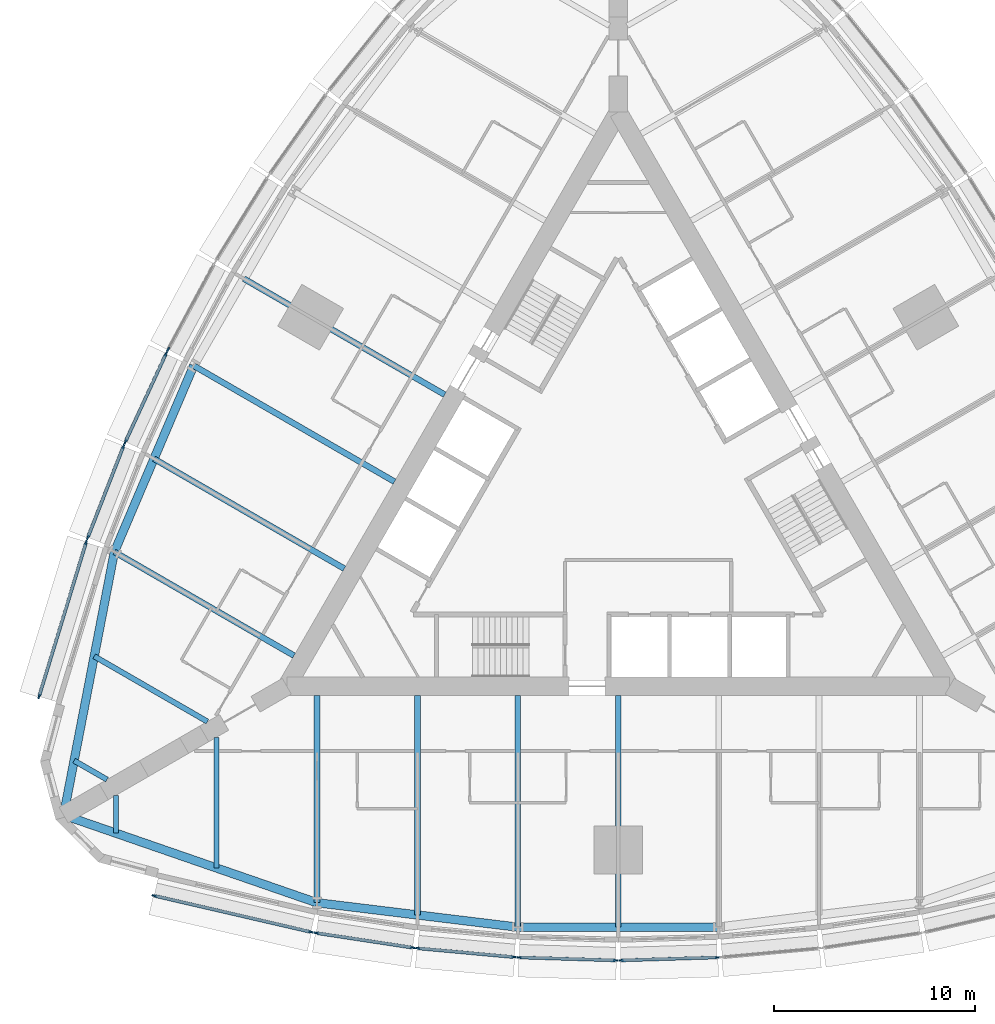
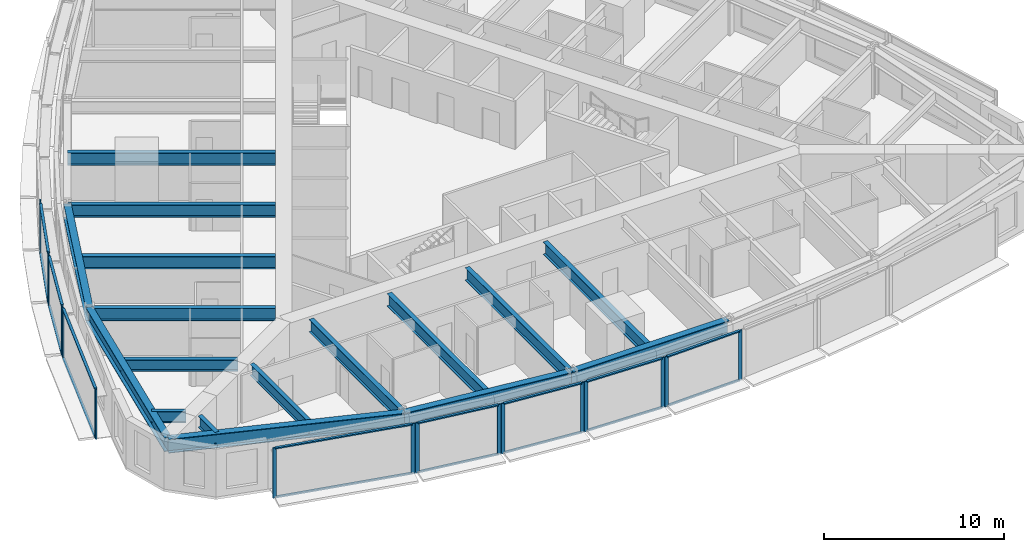
# One storey, part 2 of 14: 33 members, 17 beams, 9 elements without a shape of their own.
"""IFC4 building model written with IfcOpenShell, lengths in metres."""

from ifc_helpers import new_model, si_unit, direction, frame, origin, origin_2d, place, context, subcontext, project, spatial, rectangle, i_section, extrude, material, material_profile, profile_set, type_object, element, aggregate, save


model = new_model("IFC4")

# Units and contexts
model_context = context("Model", 3, precision=1e-05, world=origin(), true_north=direction((0.0, 1.0)))
body_context = subcontext(model_context, "Body", "Model", "MODEL_VIEW")
ifc_project = project(units=[si_unit("LENGTHUNIT", "METRE"), si_unit("AREAUNIT", "SQUARE_METRE"), si_unit("VOLUMEUNIT", "CUBIC_METRE"), si_unit("PLANEANGLEUNIT", "RADIAN"), si_unit("MASSUNIT", "GRAM", prefix="KILO")], contexts=[model_context])

# Site, building, storey
site_placement = place(None, origin())
site = spatial("IfcSite", under=ifc_project, at=site_placement, CompositionType="ELEMENT")
building_placement = place(site_placement, origin())
building = spatial("IfcBuilding", under=site, at=building_placement, Name="Trikona Tower", CompositionType="ELEMENT")
storey_placement = place(building_placement, frame((0.0, 0.0, 28.5)))
storey = spatial("IfcBuildingStorey", under=building, at=storey_placement, Name="L05", CompositionType="ELEMENT", Elevation=28.5)

# Curtain wall, members
ifc_material_1 = material(Name="Aluminium curtain wall system", Category="aluminium")
curtain_wall_type = type_object("IfcCurtainWallType", Name="Curtain wall DS1", PredefinedType="NOTDEFINED", material=ifc_material_1)
curtain_wall_1_placement = place(storey_placement, origin())
curtain_wall_1 = element("IfcCurtainWall", 1, at=curtain_wall_1_placement, inside=storey, type_object=curtain_wall_type, Name="Curtain wall DS1 L05", PredefinedType="NOTDEFINED")
ifc_material_2 = material(Name="Aluminium mullion, pale anodised", Category="aluminium")
ifc_material_profile_1 = material_profile(ifc_material_2, rectangle(XDim=0.080078125, YDim=0.219970703125, at=origin_2d()), Name="MUL-DS1")
ifc_profile_set_1 = profile_set([ifc_material_profile_1], Name="Aluminium mullion, pale anodised")
member_type_1 = type_object("IfcMemberType", Name="Mullion DS1 80x220", PredefinedType="MULLION", material=ifc_profile_set_1)
member_1_placement = place(storey_placement, frame((-23.10546875, -19.951904296875, 0.0), z_axis=(0.0, 0.0, 1.0), x_axis=(0.225343288756, 0.974279427173, 0.0)))
member_1 = element("IfcMember", 2, at=member_1_placement, type_object=member_type_1, Name="CW-DS1 mullion 1", PredefinedType="MULLION", context=body_context, shape_type="SweptSolid", body=[
    extrude(rectangle(XDim=0.080078125, YDim=0.219970703125, at=origin_2d()), origin(), (0.0, 0.0, 1.0), 3.39990234375),
])
member_2_placement = place(storey_placement, frame((-15.30029296875, -21.75732421875, 0.0), z_axis=(0.0, 0.0, 1.0), x_axis=(0.225343288756, 0.974279427173, 0.0)))
member_2 = element("IfcMember", 3, at=member_2_placement, type_object=member_type_1, Name="CW-DS1 mullion 2", PredefinedType="MULLION", context=body_context, shape_type="SweptSolid", body=[
    extrude(rectangle(XDim=0.080078125, YDim=0.219970703125, at=origin_2d()), origin(), (0.0, 0.0, 1.0), 3.39990234375),
])

curtain_wall_2_placement = place(storey_placement, origin())
curtain_wall_2 = element("IfcCurtainWall", 4, at=curtain_wall_2_placement, inside=storey, type_object=curtain_wall_type, Name="Curtain wall DS1 L05", PredefinedType="NOTDEFINED")
member_3_placement = place(storey_placement, frame((-15.03662109375, -21.807861328125, 0.0), z_axis=(0.0, 0.0, 1.0), x_axis=(0.150437693845, 0.988619492156, 0.0)))
member_3 = element("IfcMember", 5, at=member_3_placement, type_object=member_type_1, Name="CW-DS1 mullion 1", PredefinedType="MULLION", context=body_context, shape_type="SweptSolid", body=[
    extrude(rectangle(XDim=0.080078125, YDim=0.219970703125, at=origin_2d()), origin(), (0.0, 0.0, 1.0), 3.39990234375),
])
member_4_placement = place(storey_placement, frame((-10.234130859375, -22.53857421875, 0.0), z_axis=(0.0, 0.0, 1.0), x_axis=(0.150437693845, 0.988619492156, 0.0)))
member_4 = element("IfcMember", 6, at=member_4_placement, type_object=member_type_1, Name="CW-DS1 mullion 2", PredefinedType="MULLION", context=body_context, shape_type="SweptSolid", body=[
    extrude(rectangle(XDim=0.080078125, YDim=0.219970703125, at=origin_2d()), origin(), (0.0, 0.0, 1.0), 3.39990234375),
])

curtain_wall_3_placement = place(storey_placement, origin())
curtain_wall_3 = element("IfcCurtainWall", 7, at=curtain_wall_3_placement, inside=storey, type_object=curtain_wall_type, Name="Curtain wall DS1 L05", PredefinedType="NOTDEFINED")
member_5_placement = place(storey_placement, frame((-9.982177734375, -22.5693359375, 0.0), z_axis=(0.0, 0.0, 1.0), x_axis=(0.090923932737, 0.995857840485, 0.0)))
member_5 = element("IfcMember", 8, at=member_5_placement, type_object=member_type_1, Name="CW-DS1 mullion 1", PredefinedType="MULLION", context=body_context, shape_type="SweptSolid", body=[
    extrude(rectangle(XDim=0.080078125, YDim=0.219970703125, at=origin_2d()), origin(), (0.0, 0.0, 1.0), 3.39990234375),
])
member_6_placement = place(storey_placement, frame((-5.181396484375, -23.007568359375, 0.0), z_axis=(0.0, 0.0, 1.0), x_axis=(0.090923932737, 0.995857840485, 0.0)))
member_6 = element("IfcMember", 9, at=member_6_placement, type_object=member_type_1, Name="CW-DS1 mullion 2", PredefinedType="MULLION", context=body_context, shape_type="SweptSolid", body=[
    extrude(rectangle(XDim=0.080078125, YDim=0.219970703125, at=origin_2d()), origin(), (0.0, 0.0, 1.0), 3.39990234375),
])

curtain_wall_4_placement = place(storey_placement, origin())
curtain_wall_4 = element("IfcCurtainWall", 10, at=curtain_wall_4_placement, inside=storey, type_object=curtain_wall_type, Name="Curtain wall DS1 L05", PredefinedType="NOTDEFINED")
member_7_placement = place(storey_placement, frame((-4.927490234375, -23.02294921875, 0.0), z_axis=(0.0, 0.0, 1.0), x_axis=(0.030436711692, 0.999536695965, 0.0)))
member_7 = element("IfcMember", 11, at=member_7_placement, type_object=member_type_1, Name="CW-DS1 mullion 1", PredefinedType="MULLION", context=body_context, shape_type="SweptSolid", body=[
    extrude(rectangle(XDim=0.080078125, YDim=0.219970703125, at=origin_2d()), origin(), (0.0, 0.0, 1.0), 3.39990234375),
])
member_8_placement = place(storey_placement, frame((-0.12744140625, -23.169189453125, 0.0), z_axis=(0.0, 0.0, 1.0), x_axis=(0.030436711692, 0.999536695965, 0.0)))
member_8 = element("IfcMember", 12, at=member_8_placement, type_object=member_type_1, Name="CW-DS1 mullion 2", PredefinedType="MULLION", context=body_context, shape_type="SweptSolid", body=[
    extrude(rectangle(XDim=0.080078125, YDim=0.219970703125, at=origin_2d()), origin(), (0.0, 0.0, 1.0), 3.39990234375),
])

curtain_wall_5_placement = place(storey_placement, origin())
curtain_wall_5 = element("IfcCurtainWall", 13, at=curtain_wall_5_placement, inside=storey, type_object=curtain_wall_type, Name="Curtain wall DS1 L05", PredefinedType="NOTDEFINED")
member_9_placement = place(storey_placement, frame((0.12744140625, -23.169189453125, 0.0), z_axis=(0.0, 0.0, 1.0), x_axis=(-0.030436711692, 0.999536695965, 0.0)))
member_9 = element("IfcMember", 14, at=member_9_placement, type_object=member_type_1, Name="CW-DS1 mullion 1", PredefinedType="MULLION", context=body_context, shape_type="SweptSolid", body=[
    extrude(rectangle(XDim=0.080078125, YDim=0.219970703125, at=origin_2d()), origin(), (0.0, 0.0, 1.0), 3.39990234375),
])
member_10_placement = place(storey_placement, frame((4.927490234375, -23.02294921875, 0.0), z_axis=(0.0, 0.0, 1.0), x_axis=(-0.030436711692, 0.999536695965, 0.0)))
member_10 = element("IfcMember", 15, at=member_10_placement, type_object=member_type_1, Name="CW-DS1 mullion 2", PredefinedType="MULLION", context=body_context, shape_type="SweptSolid", body=[
    extrude(rectangle(XDim=0.080078125, YDim=0.219970703125, at=origin_2d()), origin(), (0.0, 0.0, 1.0), 3.39990234375),
])

# Curtain wall, member
curtain_wall_6_placement = place(storey_placement, origin())
curtain_wall_6 = element("IfcCurtainWall", 16, at=curtain_wall_6_placement, inside=storey, type_object=curtain_wall_type, Name="Curtain wall DS1 L05", PredefinedType="NOTDEFINED")
member_11_placement = place(storey_placement, frame((-22.402099609375, 7.244140625, 0.0), z_axis=(0.0, 0.0, 1.0), x_axis=(0.880843080975, -0.473408350896, 0.0)))
member_11 = element("IfcMember", 17, at=member_11_placement, type_object=member_type_1, Name="CW-DS1 mullion 2", PredefinedType="MULLION", context=body_context, shape_type="SweptSolid", body=[
    extrude(rectangle(XDim=0.080078125, YDim=0.219970703125, at=origin_2d()), origin(), (0.0, 0.0, 1.0), 3.39990234375),
])
aggregate(curtain_wall_6, [member_11])

# Curtain wall, members
curtain_wall_7_placement = place(storey_placement, origin())
curtain_wall_7 = element("IfcCurtainWall", 18, at=curtain_wall_7_placement, inside=storey, type_object=curtain_wall_type, Name="Curtain wall DS1 L05", PredefinedType="NOTDEFINED")
member_12_placement = place(storey_placement, frame((-22.515869140625, 7.0166015625, 0.0), z_axis=(0.0, 0.0, 1.0), x_axis=(0.907898459992, -0.419190155352, 0.0)))
member_12 = element("IfcMember", 19, at=member_12_placement, type_object=member_type_1, Name="CW-DS1 mullion 1", PredefinedType="MULLION", context=body_context, shape_type="SweptSolid", body=[
    extrude(rectangle(XDim=0.080078125, YDim=0.219970703125, at=origin_2d()), origin(), (0.0, 0.0, 1.0), 3.39990234375),
])
member_13_placement = place(storey_placement, frame((-24.53662109375, 2.6396484375, 0.0), z_axis=(0.0, 0.0, 1.0), x_axis=(0.907898459992, -0.419190155352, 0.0)))
member_13 = element("IfcMember", 20, at=member_13_placement, type_object=member_type_1, Name="CW-DS1 mullion 2", PredefinedType="MULLION", context=body_context, shape_type="SweptSolid", body=[
    extrude(rectangle(XDim=0.080078125, YDim=0.219970703125, at=origin_2d()), origin(), (0.0, 0.0, 1.0), 3.39990234375),
])

curtain_wall_8_placement = place(storey_placement, origin())
curtain_wall_8 = element("IfcCurtainWall", 21, at=curtain_wall_8_placement, inside=storey, type_object=curtain_wall_type, Name="Curtain wall DS1 L05", PredefinedType="NOTDEFINED")
member_14_placement = place(storey_placement, frame((-24.63623046875, 2.40625, 0.0), z_axis=(0.0, 0.0, 1.0), x_axis=(0.931395989443, -0.36400756977, 0.0)))
member_14 = element("IfcMember", 22, at=member_14_placement, type_object=member_type_1, Name="CW-DS1 mullion 1", PredefinedType="MULLION", context=body_context, shape_type="SweptSolid", body=[
    extrude(rectangle(XDim=0.080078125, YDim=0.219970703125, at=origin_2d()), origin(), (0.0, 0.0, 1.0), 3.39990234375),
])
member_15_placement = place(storey_placement, frame((-26.404296875, -2.1181640625, 0.0), z_axis=(0.0, 0.0, 1.0), x_axis=(0.931395989443, -0.36400756977, 0.0)))
member_15 = element("IfcMember", 23, at=member_15_placement, type_object=member_type_1, Name="CW-DS1 mullion 2", PredefinedType="MULLION", context=body_context, shape_type="SweptSolid", body=[
    extrude(rectangle(XDim=0.080078125, YDim=0.219970703125, at=origin_2d()), origin(), (0.0, 0.0, 1.0), 3.39990234375),
])

curtain_wall_9_placement = place(storey_placement, origin())
curtain_wall_9 = element("IfcCurtainWall", 24, at=curtain_wall_9_placement, inside=storey, type_object=curtain_wall_type, Name="Curtain wall DS1 L05", PredefinedType="NOTDEFINED")
member_16_placement = place(storey_placement, frame((-26.492431640625, -2.371826171875, 0.0), z_axis=(0.0, 0.0, 1.0), x_axis=(0.956423115383, -0.291984287868, 0.0)))
member_16 = element("IfcMember", 25, at=member_16_placement, type_object=member_type_1, Name="CW-DS1 mullion 1", PredefinedType="MULLION", context=body_context, shape_type="SweptSolid", body=[
    extrude(rectangle(XDim=0.080078125, YDim=0.219970703125, at=origin_2d()), origin(), (0.0, 0.0, 1.0), 3.39990234375),
])
member_17_placement = place(storey_placement, frame((-28.83154296875, -10.033935546875, 0.0), z_axis=(0.0, 0.0, 1.0), x_axis=(0.956423115383, -0.291984287868, 0.0)))
member_17 = element("IfcMember", 26, at=member_17_placement, type_object=member_type_1, Name="CW-DS1 mullion 2", PredefinedType="MULLION", context=body_context, shape_type="SweptSolid", body=[
    extrude(rectangle(XDim=0.080078125, YDim=0.219970703125, at=origin_2d()), origin(), (0.0, 0.0, 1.0), 3.39990234375),
])

# Beams
ifc_material_3 = material(Name="Steel ASTM A992 Grade 50", Category="steel")
ifc_material_profile_2 = material_profile(ifc_material_3, i_section(OverallWidth=0.2666015625, OverallDepth=0.76953125, WebThickness=0.015625, FlangeThickness=0.025390625, at=origin_2d()), Name="W30X132")
ifc_profile_set_2 = profile_set([ifc_material_profile_2], Name="Steel ASTM A992 Grade 50")
beam_type_1 = type_object("IfcBeamType", Name="Steel beam W30x132 (wedge)", PredefinedType="BEAM", material=ifc_profile_set_2)
beam_1_placement = place(storey_placement, frame((-25.0, -14.953369140625, 2.85009765625), z_axis=(0.0, -1.0, 0.0), x_axis=(1.0, 0.0, 0.0)))
element("IfcBeam", 27, at=beam_1_placement, inside=storey, type_object=beam_type_1, Name="Floor beam L06 F1 u-25", PredefinedType="BEAM", context=body_context, shape_type="SweptSolid", body=[
    extrude(i_section(OverallWidth=0.2666015625, OverallDepth=0.76953125, WebThickness=0.015625, FlangeThickness=0.025390625, at=origin_2d()), origin(), (0.0, 0.0, 1.0), 1.890380859375),
])
for number, where, z_axis, x_axis, name in (
    (28, (-20.0, -12.066650390625, 2.85009765625), (0.0, -1.0, 0.0), (1.0, 0.0, 0.0), "Floor beam L06 F1 u-20"),
    (29, (-20.449951171875, -11.287109375, 2.85009765625), (-0.866022504693, 0.50000502134, 0.0), (-0.50000502134, -0.866022504693, 0.0), "Floor beam L06 F3 u20"),
):
    element("IfcBeam", number, at=place(storey_placement, frame(where, z_axis=z_axis, x_axis=x_axis)), inside=storey, type_object=beam_type_1, Name=name, PredefinedType="BEAM", context=body_context, shape_type="SweptSolid", body=[
        extrude(i_section(OverallWidth=0.2666015625, OverallDepth=0.76953125, WebThickness=0.015625, FlangeThickness=0.025390625, at=origin_2d()), origin(), (0.0, 0.0, 1.0), 6.5068359375),
    ])
beam_2_placement = place(storey_placement, frame((-25.449951171875, -14.173828125, 2.85009765625), z_axis=(-0.866065156741, 0.499931139538, 0.0), x_axis=(-0.499931139538, -0.866065156741, 0.0)))
element("IfcBeam", 30, at=beam_2_placement, inside=storey, type_object=beam_type_1, Name="Floor beam L06 F3 u25", PredefinedType="BEAM", context=body_context, shape_type="SweptSolid", body=[
    extrude(i_section(OverallWidth=0.2666015625, OverallDepth=0.76953125, WebThickness=0.015625, FlangeThickness=0.025390625, at=origin_2d()), origin(), (0.0, 0.0, 1.0), 1.890380859375),
])
ifc_material_4 = material(Name="Steel ASTM A992 Grade 50", Category="steel")
ifc_material_profile_3 = material_profile(ifc_material_4, i_section(OverallWidth=0.2919921875, OverallDepth=0.845703125, WebThickness=0.015380859375, FlangeThickness=0.0244140625, at=origin_2d()), Name="W33X141")
ifc_profile_set_3 = profile_set([ifc_material_profile_3], Name="Steel ASTM A992 Grade 50")
beam_type_2 = type_object("IfcBeamType", Name="Steel beam W33x141 (radial typ)", PredefinedType="BEAM", material=ifc_profile_set_3)
beam_3_placement = place(storey_placement, frame((-15.0, -9.976318359375, 2.81201171875), z_axis=(0.0, -1.0, 0.0), x_axis=(1.0, 0.0, 0.0)))
element("IfcBeam", 31, at=beam_3_placement, inside=storey, type_object=beam_type_2, Name="Floor beam L06 F1 u-15", PredefinedType="BEAM", context=body_context, shape_type="SweptSolid", body=[
    extrude(i_section(OverallWidth=0.2919921875, OverallDepth=0.845703125, WebThickness=0.015380859375, FlangeThickness=0.0244140625, at=origin_2d()), origin(), (0.0, 0.0, 1.0), 10.32666015625),
])
beam_4_placement = place(storey_placement, frame((-10.0, -9.976318359375, 2.81201171875), z_axis=(0.0, -1.0, 0.0), x_axis=(1.0, 0.0, 0.0)))
element("IfcBeam", 32, at=beam_4_placement, inside=storey, type_object=beam_type_2, Name="Floor beam L06 F1 u-10", PredefinedType="BEAM", context=body_context, shape_type="SweptSolid", body=[
    extrude(i_section(OverallWidth=0.2919921875, OverallDepth=0.845703125, WebThickness=0.015380859375, FlangeThickness=0.0244140625, at=origin_2d()), origin(), (0.0, 0.0, 1.0), 10.935302734375),
])
for number, where, z_axis, x_axis, name in (
    (33, (-5.0, -9.976318359375, 2.81201171875), (0.0, -1.0, 0.0), (1.0, 0.0, 0.0), "Floor beam L06 F1 u-5"),
    (34, (0.0, -9.976318359375, 2.81201171875), (0.0, -1.0, 0.0), (1.0, 0.0, 0.0), "Floor beam L06 F1 u0"),
    (35, (-8.6396484375, 4.988037109375, 2.81201171875), (-0.866020765707, 0.500008033299, 0.0), (-0.500008033299, -0.866020765707, 0.0), "Floor beam L06 F3 u0"),
    (36, (-11.1396484375, 0.657958984375, 2.81201171875), (-0.866020765707, 0.500008033299, 0.0), (-0.500008033299, -0.866020765707, 0.0), "Floor beam L06 F3 u5"),
):
    element("IfcBeam", number, at=place(storey_placement, frame(where, z_axis=z_axis, x_axis=x_axis)), inside=storey, type_object=beam_type_2, Name=name, PredefinedType="BEAM", context=body_context, shape_type="SweptSolid", body=[
        extrude(i_section(OverallWidth=0.2919921875, OverallDepth=0.845703125, WebThickness=0.015380859375, FlangeThickness=0.0244140625, at=origin_2d()), origin(), (0.0, 0.0, 1.0), 11.544189453125),
    ])
beam_5_placement = place(storey_placement, frame((-13.6396484375, -3.672119140625, 2.81201171875), z_axis=(-0.866025348605, 0.500000095573, 0.0), x_axis=(-0.500000095573, -0.866025348605, 0.0)))
element("IfcBeam", 37, at=beam_5_placement, inside=storey, type_object=beam_type_2, Name="Floor beam L06 F3 u10", PredefinedType="BEAM", context=body_context, shape_type="SweptSolid", body=[
    extrude(i_section(OverallWidth=0.2919921875, OverallDepth=0.845703125, WebThickness=0.015380859375, FlangeThickness=0.0244140625, at=origin_2d()), origin(), (0.0, 0.0, 1.0), 10.935546875),
])
beam_6_placement = place(storey_placement, frame((-16.1396484375, -8.002197265625, 2.81201171875), z_axis=(-0.866030471684, 0.499991222037, 0.0), x_axis=(-0.499991222037, -0.866030471684, 0.0)))
element("IfcBeam", 38, at=beam_6_placement, inside=storey, type_object=beam_type_2, Name="Floor beam L06 F3 u15", PredefinedType="BEAM", context=body_context, shape_type="SweptSolid", body=[
    extrude(i_section(OverallWidth=0.2919921875, OverallDepth=0.845703125, WebThickness=0.015380859375, FlangeThickness=0.0244140625, at=origin_2d()), origin(), (0.0, 0.0, 1.0), 10.326904296875),
])
ifc_material_5 = material(Name="Steel ASTM A992 Grade 50", Category="steel")
ifc_material_profile_4 = material_profile(ifc_material_5, i_section(OverallWidth=0.424072265625, OverallDepth=0.947509765625, WebThickness=0.02392578125, FlangeThickness=0.042724609375, at=origin_2d()), Name="W36X302")
ifc_profile_set_4 = profile_set([ifc_material_profile_4], Name="Steel ASTM A992 Grade 50")
beam_type_3 = type_object("IfcBeamType", Name="Steel beam W36x302 (spandrel)", PredefinedType="SPANDREL", material=ifc_profile_set_4)
beam_7_placement = place(storey_placement, frame((-27.6103515625, -15.94091796875, 2.76123046875), z_axis=(0.945056965739, -0.326905692071, 0.0), x_axis=(0.326905692071, 0.945056965739, 0.0)))
element("IfcBeam", 39, at=beam_7_placement, inside=storey, type_object=beam_type_3, Name="Spandrel beam L06 F1-1", PredefinedType="SPANDREL", context=body_context, shape_type="SweptSolid", body=[
    extrude(i_section(OverallWidth=0.424072265625, OverallDepth=0.947509765625, WebThickness=0.02392578125, FlangeThickness=0.042724609375, at=origin_2d()), origin(), (0.0, 0.0, 1.0), 13.343505859375),
])
beam_8_placement = place(storey_placement, frame((-15.0, -20.302978515625, 2.76123046875), z_axis=(0.99266951126, -0.120860421207, 0.0), x_axis=(0.120860421207, 0.99266951126, 0.0)))
element("IfcBeam", 40, at=beam_8_placement, inside=storey, type_object=beam_type_3, Name="Spandrel beam L06 F1-2", PredefinedType="SPANDREL", context=body_context, shape_type="SweptSolid", body=[
    extrude(i_section(OverallWidth=0.424072265625, OverallDepth=0.947509765625, WebThickness=0.02392578125, FlangeThickness=0.042724609375, at=origin_2d()), origin(), (0.0, 0.0, 1.0), 10.07373046875),
])
beam_9_placement = place(storey_placement, frame((-5.0, -21.5205078125, 2.76123046875), z_axis=(1.0, 0.0, 0.0), x_axis=(0.0, 1.0, 0.0)))
element("IfcBeam", 41, at=beam_9_placement, inside=storey, type_object=beam_type_3, Name="Spandrel beam L06 F1-3", PredefinedType="SPANDREL", context=body_context, shape_type="SweptSolid", body=[
    extrude(i_section(OverallWidth=0.424072265625, OverallDepth=0.947509765625, WebThickness=0.02392578125, FlangeThickness=0.042724609375, at=origin_2d()), origin(), (0.0, 0.0, 1.0), 10.0),
])
beam_10_placement = place(storey_placement, frame((-21.13720703125, 6.43017578125, 2.76123046875), z_axis=(-0.391683514847, -0.920100007715, 0.0), x_axis=(0.920100007715, -0.391683514847, 0.0)))
element("IfcBeam", 42, at=beam_10_placement, inside=storey, type_object=beam_type_3, Name="Spandrel beam L06 F3-4", PredefinedType="SPANDREL", context=body_context, shape_type="SweptSolid", body=[
    extrude(i_section(OverallWidth=0.424072265625, OverallDepth=0.947509765625, WebThickness=0.02392578125, FlangeThickness=0.042724609375, at=origin_2d()), origin(), (0.0, 0.0, 1.0), 10.073974609375),
])
beam_11_placement = place(storey_placement, frame((-25.0830078125, -2.8388671875, 2.76123046875), z_axis=(-0.189405184036, -0.981899015307, 0.0), x_axis=(0.981899015307, -0.189405184036, 0.0)))
element("IfcBeam", 43, at=beam_11_placement, inside=storey, type_object=beam_type_3, Name="Spandrel beam L06 F3-5", PredefinedType="SPANDREL", context=body_context, shape_type="SweptSolid", body=[
    extrude(i_section(OverallWidth=0.424072265625, OverallDepth=0.947509765625, WebThickness=0.02392578125, FlangeThickness=0.042724609375, at=origin_2d()), origin(), (0.0, 0.0, 1.0), 13.343505859375),
])

# Member
ifc_material_6 = material(Name="Aluminium transom, pale anodised", Category="aluminium")
ifc_material_profile_5 = material_profile(ifc_material_6, rectangle(XDim=0.159912109375, YDim=0.080078125, at=origin_2d()), Name="TRN-DS1")
ifc_profile_set_5 = profile_set([ifc_material_profile_5], Name="Aluminium transom, pale anodised")
member_type_2 = type_object("IfcMemberType", Name="Transom DS1 80x160", PredefinedType="USERDEFINED", material=ifc_profile_set_5)
member_18_placement = place(storey_placement, frame((-23.06640625, -19.9609375, 0.0400390625), z_axis=(0.974275371842, -0.225360821398, 0.0), x_axis=(0.225360821398, 0.974275371842, 0.0)))
member_18 = element("IfcMember", 44, at=member_18_placement, type_object=member_type_2, Name="CW-DS1 transom 1.1", ObjectType="TRANSOM", PredefinedType="USERDEFINED", context=body_context, shape_type="SweptSolid", body=[
    extrude(rectangle(XDim=0.159912109375, YDim=0.080078125, at=origin_2d()), origin(), (0.0, 0.0, 1.0), 7.93115234375),
])

member_19_placement = place(storey_placement, frame((-23.06640625, -19.9609375, 3.360107421875), z_axis=(0.974275371842, -0.225360821398, 0.0), x_axis=(0.225360821398, 0.974275371842, 0.0)))
member_19 = element("IfcMember", 45, at=member_19_placement, type_object=member_type_2, Name="CW-DS1 transom 1.2", ObjectType="TRANSOM", PredefinedType="USERDEFINED", context=body_context, shape_type="SweptSolid", body=[
    extrude(rectangle(XDim=0.159912109375, YDim=0.080078125, at=origin_2d()), origin(), (0.0, 0.0, 1.0), 7.93115234375),
])

aggregate(curtain_wall_1, [member_1, member_2, member_18, member_19])

member_20_placement = place(storey_placement, frame((-14.9970703125, -21.813720703125, 0.0400390625), z_axis=(0.988619663412, -0.150436568413, 0.0), x_axis=(0.150436568413, 0.988619663412, 0.0)))
member_20 = element("IfcMember", 46, at=member_20_placement, type_object=member_type_2, Name="CW-DS1 transom 1.1", ObjectType="TRANSOM", PredefinedType="USERDEFINED", context=body_context, shape_type="SweptSolid", body=[
    extrude(rectangle(XDim=0.159912109375, YDim=0.080078125, at=origin_2d()), origin(), (0.0, 0.0, 1.0), 4.77783203125),
])

member_21_placement = place(storey_placement, frame((-14.9970703125, -21.813720703125, 3.360107421875), z_axis=(0.988619663412, -0.150436568413, 0.0), x_axis=(0.150436568413, 0.988619663412, 0.0)))
member_21 = element("IfcMember", 47, at=member_21_placement, type_object=member_type_2, Name="CW-DS1 transom 1.2", ObjectType="TRANSOM", PredefinedType="USERDEFINED", context=body_context, shape_type="SweptSolid", body=[
    extrude(rectangle(XDim=0.159912109375, YDim=0.080078125, at=origin_2d()), origin(), (0.0, 0.0, 1.0), 4.77783203125),
])

aggregate(curtain_wall_2, [member_3, member_4, member_20, member_21])

member_22_placement = place(storey_placement, frame((-9.9423828125, -22.57275390625, 0.0400390625), z_axis=(0.995855977008, -0.090944340438, 0.0), x_axis=(0.090944340438, 0.995855977008, 0.0)))
member_22 = element("IfcMember", 48, at=member_22_placement, type_object=member_type_2, Name="CW-DS1 transom 1.1", ObjectType="TRANSOM", PredefinedType="USERDEFINED", context=body_context, shape_type="SweptSolid", body=[
    extrude(rectangle(XDim=0.159912109375, YDim=0.080078125, at=origin_2d()), origin(), (0.0, 0.0, 1.0), 4.74072265625),
])

member_23_placement = place(storey_placement, frame((-9.9423828125, -22.57275390625, 3.360107421875), z_axis=(0.995855977008, -0.090944340438, 0.0), x_axis=(0.090944340438, 0.995855977008, 0.0)))
member_23 = element("IfcMember", 49, at=member_23_placement, type_object=member_type_2, Name="CW-DS1 transom 1.2", ObjectType="TRANSOM", PredefinedType="USERDEFINED", context=body_context, shape_type="SweptSolid", body=[
    extrude(rectangle(XDim=0.159912109375, YDim=0.080078125, at=origin_2d()), origin(), (0.0, 0.0, 1.0), 4.74072265625),
])

aggregate(curtain_wall_3, [member_5, member_6, member_22, member_23])

member_24_placement = place(storey_placement, frame((-4.887451171875, -23.024169921875, 0.0400390625), z_axis=(0.999536232946, -0.030451913371, 0.0), x_axis=(0.030451913371, 0.999536232946, 0.0)))
member_24 = element("IfcMember", 50, at=member_24_placement, type_object=member_type_2, Name="CW-DS1 transom 1.1", ObjectType="TRANSOM", PredefinedType="USERDEFINED", context=body_context, shape_type="SweptSolid", body=[
    extrude(rectangle(XDim=0.159912109375, YDim=0.080078125, at=origin_2d()), origin(), (0.0, 0.0, 1.0), 4.72216796875),
])

member_25_placement = place(storey_placement, frame((-4.887451171875, -23.024169921875, 3.360107421875), z_axis=(0.999536232946, -0.030451913371, 0.0), x_axis=(0.030451913371, 0.999536232946, 0.0)))
member_25 = element("IfcMember", 51, at=member_25_placement, type_object=member_type_2, Name="CW-DS1 transom 1.2", ObjectType="TRANSOM", PredefinedType="USERDEFINED", context=body_context, shape_type="SweptSolid", body=[
    extrude(rectangle(XDim=0.159912109375, YDim=0.080078125, at=origin_2d()), origin(), (0.0, 0.0, 1.0), 4.72216796875),
])

aggregate(curtain_wall_4, [member_7, member_8, member_24, member_25])

member_26_placement = place(storey_placement, frame((0.16748046875, -23.16796875, 0.0400390625), z_axis=(0.999536232946, 0.030451913371, 0.0), x_axis=(-0.030451913371, 0.999536232946, 0.0)))
member_26 = element("IfcMember", 52, at=member_26_placement, type_object=member_type_2, Name="CW-DS1 transom 1.1", ObjectType="TRANSOM", PredefinedType="USERDEFINED", context=body_context, shape_type="SweptSolid", body=[
    extrude(rectangle(XDim=0.159912109375, YDim=0.080078125, at=origin_2d()), origin(), (0.0, 0.0, 1.0), 4.72216796875),
])

member_27_placement = place(storey_placement, frame((0.16748046875, -23.16796875, 3.360107421875), z_axis=(0.999536232946, 0.030451913371, 0.0), x_axis=(-0.030451913371, 0.999536232946, 0.0)))
member_27 = element("IfcMember", 53, at=member_27_placement, type_object=member_type_2, Name="CW-DS1 transom 1.2", ObjectType="TRANSOM", PredefinedType="USERDEFINED", context=body_context, shape_type="SweptSolid", body=[
    extrude(rectangle(XDim=0.159912109375, YDim=0.080078125, at=origin_2d()), origin(), (0.0, 0.0, 1.0), 4.72216796875),
])

aggregate(curtain_wall_5, [member_9, member_10, member_26, member_27])

member_28_placement = place(storey_placement, frame((-22.53271484375, 6.980224609375, 0.0400390625), z_axis=(-0.419188800665, -0.90789908547, 0.0), x_axis=(0.90789908547, -0.419188800665, 0.0)))
member_28 = element("IfcMember", 54, at=member_28_placement, type_object=member_type_2, Name="CW-DS1 transom 1.1", ObjectType="TRANSOM", PredefinedType="USERDEFINED", context=body_context, shape_type="SweptSolid", body=[
    extrude(rectangle(XDim=0.159912109375, YDim=0.080078125, at=origin_2d()), origin(), (0.0, 0.0, 1.0), 4.74072265625),
])

member_29_placement = place(storey_placement, frame((-22.53271484375, 6.980224609375, 3.360107421875), z_axis=(-0.419188800665, -0.90789908547, 0.0), x_axis=(0.90789908547, -0.419188800665, 0.0)))
member_29 = element("IfcMember", 55, at=member_29_placement, type_object=member_type_2, Name="CW-DS1 transom 1.2", ObjectType="TRANSOM", PredefinedType="USERDEFINED", context=body_context, shape_type="SweptSolid", body=[
    extrude(rectangle(XDim=0.159912109375, YDim=0.080078125, at=origin_2d()), origin(), (0.0, 0.0, 1.0), 4.74072265625),
])

aggregate(curtain_wall_7, [member_12, member_13, member_28, member_29])

member_30_placement = place(storey_placement, frame((-24.650634765625, 2.368896484375, 0.0400390625), z_axis=(-0.364048647668, -0.931379934362, 0.0), x_axis=(0.931379934362, -0.364048647668, 0.0)))
member_30 = element("IfcMember", 56, at=member_30_placement, type_object=member_type_2, Name="CW-DS1 transom 1.1", ObjectType="TRANSOM", PredefinedType="USERDEFINED", context=body_context, shape_type="SweptSolid", body=[
    extrude(rectangle(XDim=0.159912109375, YDim=0.080078125, at=origin_2d()), origin(), (0.0, 0.0, 1.0), 4.777587890625),
])

member_31_placement = place(storey_placement, frame((-24.650634765625, 2.368896484375, 3.360107421875), z_axis=(-0.364048647668, -0.931379934362, 0.0), x_axis=(0.931379934362, -0.364048647668, 0.0)))
member_31 = element("IfcMember", 57, at=member_31_placement, type_object=member_type_2, Name="CW-DS1 transom 1.2", ObjectType="TRANSOM", PredefinedType="USERDEFINED", context=body_context, shape_type="SweptSolid", body=[
    extrude(rectangle(XDim=0.159912109375, YDim=0.080078125, at=origin_2d()), origin(), (0.0, 0.0, 1.0), 4.777587890625),
])

aggregate(curtain_wall_8, [member_14, member_15, member_30, member_31])

member_32_placement = place(storey_placement, frame((-26.504150390625, -2.409912109375, 0.0400390625), z_axis=(-0.291967490203, -0.956428243343, 0.0), x_axis=(0.956428243343, -0.291967490203, 0.0)))
member_32 = element("IfcMember", 58, at=member_32_placement, type_object=member_type_2, Name="CW-DS1 transom 1.1", ObjectType="TRANSOM", PredefinedType="USERDEFINED", context=body_context, shape_type="SweptSolid", body=[
    extrude(rectangle(XDim=0.159912109375, YDim=0.080078125, at=origin_2d()), origin(), (0.0, 0.0, 1.0), 7.93115234375),
])

member_33_placement = place(storey_placement, frame((-26.504150390625, -2.409912109375, 3.360107421875), z_axis=(-0.291967490203, -0.956428243343, 0.0), x_axis=(0.956428243343, -0.291967490203, 0.0)))
member_33 = element("IfcMember", 59, at=member_33_placement, type_object=member_type_2, Name="CW-DS1 transom 1.2", ObjectType="TRANSOM", PredefinedType="USERDEFINED", context=body_context, shape_type="SweptSolid", body=[
    extrude(rectangle(XDim=0.159912109375, YDim=0.080078125, at=origin_2d()), origin(), (0.0, 0.0, 1.0), 7.93115234375),
])

aggregate(curtain_wall_9, [member_16, member_17, member_32, member_33])

save(model, "model.ifc")
